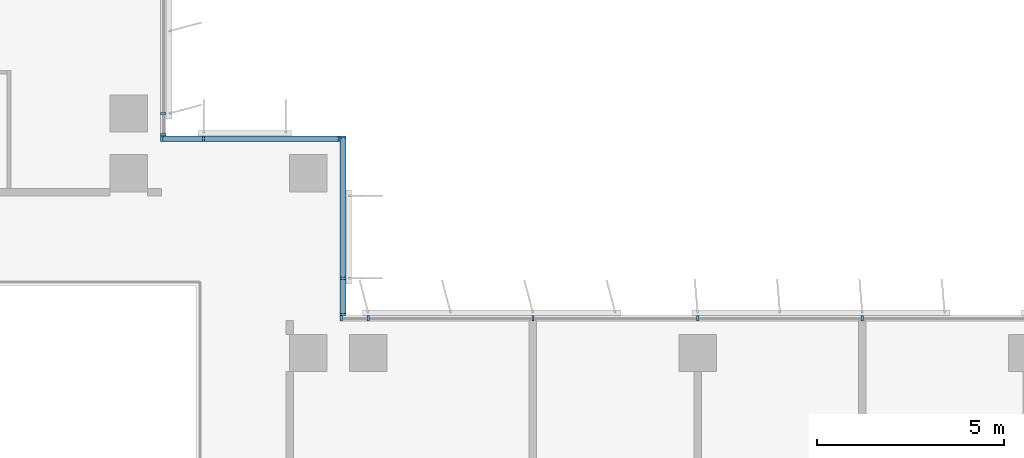
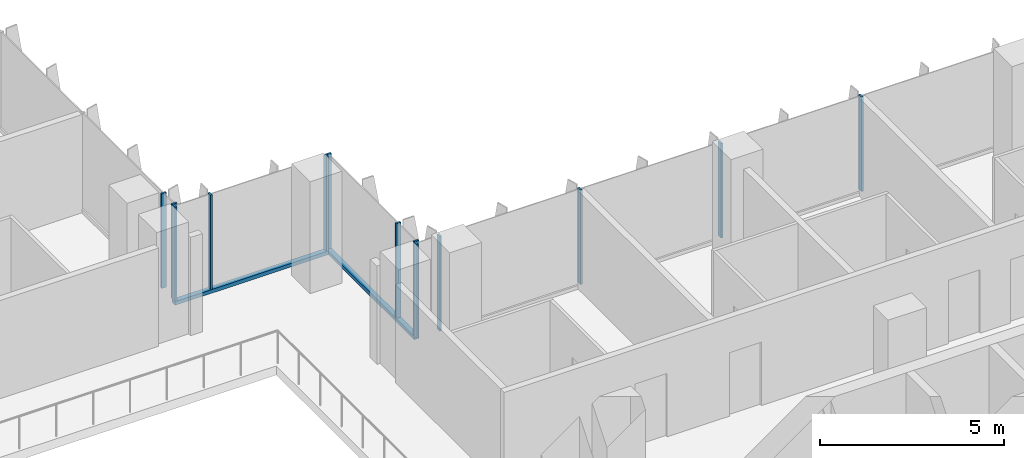
# One storey, part 2 of 21: 15 members, 4 elements without a shape of their own.
"""IFC4 building model written with IfcOpenShell, lengths in metres."""

from ifc_helpers import new_model, si_unit, direction, frame, origin, origin_2d, place, context, subcontext, project, spatial, rectangle, extrude, source, transform, mapped, material, material_profile, profile_set, type_object, element, aggregate, save


model = new_model("IFC4")

# Units and contexts
model_context = context("Model", 3, precision=1e-05, world=origin(), true_north=direction((0.0, 1.0)))
body_context = subcontext(model_context, "Body", "Model", "MODEL_VIEW")
ifc_project = project(units=[si_unit("LENGTHUNIT", "METRE"), si_unit("AREAUNIT", "SQUARE_METRE"), si_unit("VOLUMEUNIT", "CUBIC_METRE"), si_unit("PLANEANGLEUNIT", "RADIAN"), si_unit("MASSUNIT", "GRAM", prefix="KILO")], contexts=[model_context])

# Site, building, storey
site_placement = place(None, origin())
site = spatial("IfcSite", under=ifc_project, at=site_placement, CompositionType="ELEMENT")
building_placement = place(site_placement, origin())
building = spatial("IfcBuilding", under=site, at=building_placement, Name="Kemantara Hotel Tower", CompositionType="ELEMENT")
storey_placement = place(building_placement, frame((0.0, 0.0, 219.10009765625)))
storey = spatial("IfcBuildingStorey", under=building, at=storey_placement, Name="L54", CompositionType="ELEMENT", Elevation=219.10009765625)

# Curtain wall, member
ifc_material_1 = material(Name="Low-E tinted double insulated glass 36 mm", Category="glass")
curtain_wall_type = type_object("IfcCurtainWallType", Name="TOWER CURTAIN WALL, FRONT FACES", PredefinedType="USERDEFINED", material=ifc_material_1)
curtain_wall_1_placement = place(storey_placement, origin())
curtain_wall_1 = element("IfcCurtainWall", 1, at=curtain_wall_1_placement, inside=storey, type_object=curtain_wall_type, Name="CW4 L54 T3-R15-1", ObjectType="TOWER CURTAIN WALL, FRONT FACES", PredefinedType="USERDEFINED")
ifc_material_2 = material(Name="Aluminium 6063-T6 bronze anodised", Category="aluminium")
ifc_material_profile_1 = material_profile(ifc_material_2, rectangle(XDim=0.14990234375, YDim=0.1201171875, at=origin_2d()), Name="TOWER CURTAIN WALL, FRONT FACES TRANSOM")
ifc_profile_set_1 = profile_set([ifc_material_profile_1], Name="Aluminium 6063-T6 bronze anodised")
member_type_1 = type_object("IfcMemberType", Name="TOWER CURTAIN WALL, FRONT FACES TRANSOM", PredefinedType="USERDEFINED", material=ifc_profile_set_1)
member_1_placement = place(storey_placement, frame((26.72509765625, 22.0, 0.059814453125), z_axis=(0.0, 1.0, 0.0), x_axis=(-1.0, 0.0, 0.0)))
member_1 = element("IfcMember", 2, at=member_1_placement, type_object=member_type_1, Name="CW4 sill transom T3-R15-1", ObjectType="TRANSOM", PredefinedType="USERDEFINED", context=body_context, shape_type="SweptSolid", body=[
    extrude(rectangle(XDim=0.14990234375, YDim=0.1201171875, at=origin_2d()), origin(), (0.0, 0.0, 1.0), 4.800048828125),
])

curtain_wall_2_placement = place(storey_placement, origin())
curtain_wall_2 = element("IfcCurtainWall", 3, at=curtain_wall_2_placement, inside=storey, type_object=curtain_wall_type, Name="CW4 L54 T3-R16-1", ObjectType="TOWER CURTAIN WALL, FRONT FACES", PredefinedType="USERDEFINED")
member_2_placement = place(storey_placement, frame((26.64990234375, 26.72509765625, 0.059814453125), z_axis=(-1.0, 0.0, 0.0), x_axis=(0.0, -1.0, 0.0)))
member_2 = element("IfcMember", 4, at=member_2_placement, type_object=member_type_1, Name="CW4 sill transom T3-R16-1", ObjectType="TRANSOM", PredefinedType="USERDEFINED", context=body_context, shape_type="SweptSolid", body=[
    extrude(rectangle(XDim=0.14990234375, YDim=0.1201171875, at=origin_2d()), origin(), (0.0, 0.0, 1.0), 4.7998046875),
])

# Curtain wall, members
curtain_wall_3_placement = place(storey_placement, origin())
curtain_wall_3 = element("IfcCurtainWall", 5, at=curtain_wall_3_placement, inside=storey, type_object=curtain_wall_type, Name="CW4 L54 T3-R14-1", ObjectType="TOWER CURTAIN WALL, FRONT FACES", PredefinedType="USERDEFINED")
ifc_material_profile_2 = material_profile(ifc_material_2, rectangle(XDim=0.14990234375, YDim=0.06005859375, at=origin_2d()), Name="TOWER CURTAIN WALL, FRONT FACES MULLION")
ifc_profile_set_2 = profile_set([ifc_material_profile_2], Name="Aluminium 6063-T6 bronze anodised")
member_type_2 = type_object("IfcMemberType", Name="TOWER CURTAIN WALL, FRONT FACES MULLION", PredefinedType="MULLION", material=ifc_profile_set_2)
shared_shape = source(origin(), body_context, "Body", "SweptSolid", [
    extrude(rectangle(XDim=0.14990234375, YDim=0.06005859375, at=origin_2d()), origin(), (0.0, 0.0, 1.0), 3.130126953125),
])
member_3_placement = place(storey_placement, frame((40.60009765625, 21.925048828125, 0.119873046875), z_axis=(0.0, 0.0, 1.0), x_axis=(0.0, -1.0, 0.0)))
member_3 = element("IfcMember", 6, at=member_3_placement, type_object=member_type_2, Name="CW4 mullion T3-R14-1.6", PredefinedType="MULLION", context=body_context, shape_type="MappedRepresentation", body=[
    mapped(shared_shape, transform((0.0, 0.0, 0.0))),
])
member_4_placement = place(storey_placement, frame((36.199951171875, 21.925048828125, 0.119873046875), z_axis=(0.0, 0.0, 1.0), x_axis=(0.0, -1.0, 0.0)))
member_4 = element("IfcMember", 7, at=member_4_placement, type_object=member_type_2, Name="CW4 mullion T3-R14-1.7", PredefinedType="MULLION", context=body_context, shape_type="MappedRepresentation", body=[
    mapped(shared_shape, transform((0.0, 0.0, 0.0))),
])
member_5_placement = place(storey_placement, frame((31.800048828125, 21.925048828125, 0.119873046875), z_axis=(0.0, 0.0, 1.0), x_axis=(0.0, -1.0, 0.0)))
member_5 = element("IfcMember", 8, at=member_5_placement, type_object=member_type_2, Name="CW4 mullion T3-R14-1.8", PredefinedType="MULLION", context=body_context, shape_type="MappedRepresentation", body=[
    mapped(shared_shape, transform((0.0, 0.0, 0.0))),
])
member_6_placement = place(storey_placement, frame((27.39990234375, 21.925048828125, 0.119873046875), z_axis=(0.0, 0.0, 1.0), x_axis=(0.0, -1.0, 0.0)))
member_6 = element("IfcMember", 9, at=member_6_placement, type_object=member_type_2, Name="CW4 mullion T3-R14-1.9", PredefinedType="MULLION", context=body_context, shape_type="MappedRepresentation", body=[
    mapped(shared_shape, transform((0.0, 0.0, 0.0))),
])
member_7_placement = place(storey_placement, frame((26.679931640625, 21.925048828125, 0.119873046875), z_axis=(0.0, 0.0, 1.0), x_axis=(0.0, -1.0, 0.0)))
member_7 = element("IfcMember", 10, at=member_7_placement, type_object=member_type_2, Name="CW4 mullion T3-R14-1.10", PredefinedType="MULLION", context=body_context, shape_type="MappedRepresentation", body=[
    mapped(shared_shape, transform((0.0, 0.0, 0.0))),
])
aggregate(curtain_wall_3, [member_3, member_4, member_5, member_6, member_7])

# Member
member_8_placement = place(storey_placement, frame((26.72509765625, 22.030029296875, 0.119873046875), z_axis=(0.0, 0.0, 1.0), x_axis=(-1.0, 0.0, 0.0)))
member_8 = element("IfcMember", 11, at=member_8_placement, type_object=member_type_2, Name="CW4 mullion T3-R15-1.1", PredefinedType="MULLION", context=body_context, shape_type="MappedRepresentation", body=[
    mapped(shared_shape, transform((0.0, 0.0, 0.0))),
])

member_9_placement = place(storey_placement, frame((26.72509765625, 23.0, 0.119873046875), z_axis=(0.0, 0.0, 1.0), x_axis=(-1.0, 0.0, 0.0)))
member_9 = element("IfcMember", 12, at=member_9_placement, type_object=member_type_2, Name="CW4 mullion T3-R15-1.2", PredefinedType="MULLION", context=body_context, shape_type="MappedRepresentation", body=[
    mapped(shared_shape, transform((0.0, 0.0, 0.0))),
])

member_10_placement = place(storey_placement, frame((26.72509765625, 26.77001953125, 0.119873046875), z_axis=(0.0, 0.0, 1.0), x_axis=(-1.0, 0.0, 0.0)))
member_10 = element("IfcMember", 13, at=member_10_placement, type_object=member_type_2, Name="CW4 mullion T3-R15-1.3", PredefinedType="MULLION", context=body_context, shape_type="MappedRepresentation", body=[
    mapped(shared_shape, transform((0.0, 0.0, 0.0))),
])

aggregate(curtain_wall_1, [member_1, member_8, member_9, member_10])

member_11_placement = place(storey_placement, frame((26.6201171875, 26.72509765625, 0.119873046875), z_axis=(0.0, 0.0, 1.0), x_axis=(0.0, -1.0, 0.0)))
member_11 = element("IfcMember", 14, at=member_11_placement, type_object=member_type_2, Name="CW4 mullion T3-R16-1.1", PredefinedType="MULLION", context=body_context, shape_type="MappedRepresentation", body=[
    mapped(shared_shape, transform((0.0, 0.0, 0.0))),
])

member_12_placement = place(storey_placement, frame((23.0, 26.72509765625, 0.119873046875), z_axis=(0.0, 0.0, 1.0), x_axis=(0.0, -1.0, 0.0)))
member_12 = element("IfcMember", 15, at=member_12_placement, type_object=member_type_2, Name="CW4 mullion T3-R16-1.2", PredefinedType="MULLION", context=body_context, shape_type="MappedRepresentation", body=[
    mapped(shared_shape, transform((0.0, 0.0, 0.0))),
])

member_13_placement = place(storey_placement, frame((21.8798828125, 26.72509765625, 0.119873046875), z_axis=(0.0, 0.0, 1.0), x_axis=(0.0, -1.0, 0.0)))
member_13 = element("IfcMember", 16, at=member_13_placement, type_object=member_type_2, Name="CW4 mullion T3-R16-1.3", PredefinedType="MULLION", context=body_context, shape_type="MappedRepresentation", body=[
    mapped(shared_shape, transform((0.0, 0.0, 0.0))),
])

aggregate(curtain_wall_2, [member_2, member_11, member_12, member_13])

# Curtain wall, members
curtain_wall_4_placement = place(storey_placement, origin())
curtain_wall_4 = element("IfcCurtainWall", 17, at=curtain_wall_4_placement, inside=storey, type_object=curtain_wall_type, Name="CW4 L54 T3-R17-1", ObjectType="TOWER CURTAIN WALL, FRONT FACES", PredefinedType="USERDEFINED")
member_14_placement = place(storey_placement, frame((21.925048828125, 26.830078125, 0.119873046875), z_axis=(0.0, 0.0, 1.0), x_axis=(-1.0, 0.0, 0.0)))
member_14 = element("IfcMember", 18, at=member_14_placement, type_object=member_type_2, Name="CW4 mullion T3-R17-1.1", PredefinedType="MULLION", context=body_context, shape_type="MappedRepresentation", body=[
    mapped(shared_shape, transform((0.0, 0.0, 0.0))),
])
member_15_placement = place(storey_placement, frame((21.925048828125, 27.39990234375, 0.119873046875), z_axis=(0.0, 0.0, 1.0), x_axis=(-1.0, 0.0, 0.0)))
member_15 = element("IfcMember", 19, at=member_15_placement, type_object=member_type_2, Name="CW4 mullion T3-R17-1.2", PredefinedType="MULLION", context=body_context, shape_type="MappedRepresentation", body=[
    mapped(shared_shape, transform((0.0, 0.0, 0.0))),
])
aggregate(curtain_wall_4, [member_14, member_15])

save(model, "model.ifc")
